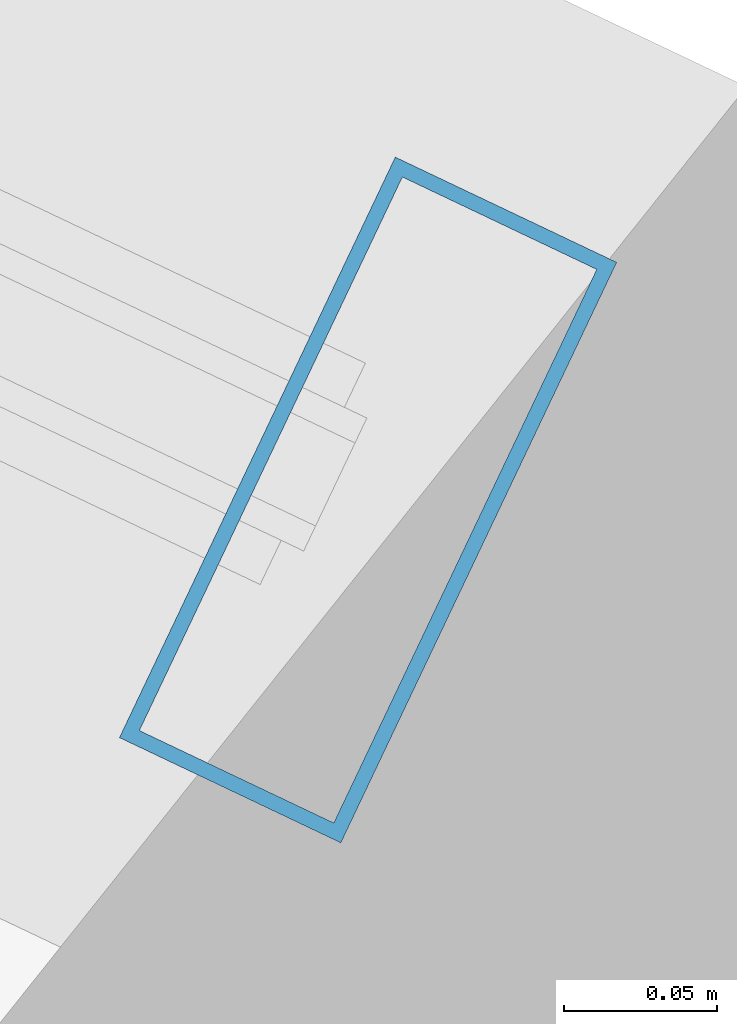
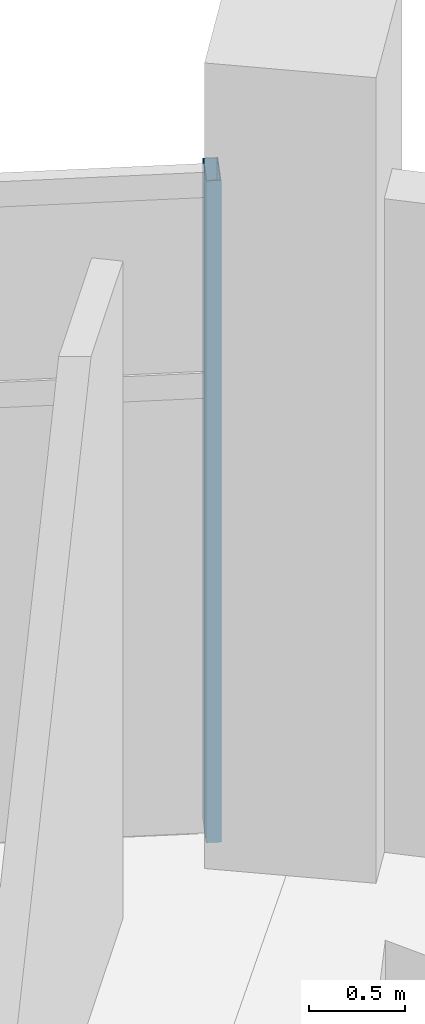
# One storey, part 132 of 184: 1 member, 1 element without a shape of its own.
"""IFC4 building model written with IfcOpenShell, lengths in metres."""

import ifcopenshell
import ifcopenshell.guid

model = None  # the IFC model being written
_history = None  # IfcOwnerHistory: only IFC2X3 demands one
_inside = {}  # id of a spatial element -> (the spatial element, [elements in it])
_under = {}  # id of a project, library or spatial element -> (it, [spatial elements below it])
_declared = {}  # id of a project -> (the project, [libraries it declares])
_typed = {}  # id of a type object -> (the type object, [elements of that type])
_made_of = {}  # id of a material, layer set ... -> (it, [elements and type objects made of it])


def new_model(schema):
    """Start an empty IFC model of exactly this schema.

    Asked for "IFC4X3", IfcOpenShell would pick the latest addendum, in which some entities
    have other attributes; the version numbers below select the first issue.
    IFC2X3 requires an IfcOwnerHistory on every rooted entity: one is made here for all.
    """
    global model, _history
    if schema == "IFC4X3":
        model = ifcopenshell.file(schema_version=(4, 3, 0, 0))
    else:
        model = ifcopenshell.file(schema=schema)
    _inside.clear()
    _under.clear()
    _declared.clear()
    _typed.clear()
    _made_of.clear()
    _history = None
    if model.schema == "IFC2X3":
        org = make("IfcOrganization", Name="unknown")
        user = make(
            "IfcPersonAndOrganization",
            ThePerson=make("IfcPerson", FamilyName="unknown"),
            TheOrganization=org,
        )
        app = make(
            "IfcApplication",
            ApplicationDeveloper=org,
            Version="unknown",
            ApplicationFullName="unknown",
            ApplicationIdentifier="unknown",
        )
        _history = make(
            "IfcOwnerHistory",
            OwningUser=user,
            OwningApplication=app,
            ChangeAction="ADDED",
            CreationDate=0,
        )
    return model


def make(cls, **values):
    """One entity of the class cls with the attributes given. An attribute that is None is left unset."""
    return model.create_entity(
        cls, **{name: value for name, value in values.items() if value is not None}
    )


def rooted(cls, **values):
    """An entity with a GlobalId (a new one), such as an element, a storey or a relation."""
    return make(cls, GlobalId=ifcopenshell.guid.new(), OwnerHistory=_history, **values)


def si_unit(unit_type, name, prefix=None):
    """IfcSIUnit, for example si_unit("LENGTHUNIT", "METRE", prefix="MILLI")."""
    return make("IfcSIUnit", UnitType=unit_type, Prefix=prefix, Name=name)


def assignment(units):
    """IfcUnitAssignment: the units of a project."""
    return None if units is None else make("IfcUnitAssignment", Units=units)


def point(xyz):
    """IfcCartesianPoint."""
    return None if xyz is None else make("IfcCartesianPoint", Coordinates=xyz)


def direction(xyz):
    """IfcDirection."""
    return None if xyz is None else make("IfcDirection", DirectionRatios=xyz)


def frame(location, z_axis=None, x_axis=None):
    """IfcAxis2Placement3D, a coordinate frame: its origin and axes. An axis left out is left unset."""
    return make(
        "IfcAxis2Placement3D",
        Location=point(location),
        Axis=direction(z_axis),
        RefDirection=direction(x_axis),
    )


def frame_2d(location, x_axis=None):
    """IfcAxis2Placement2D, a coordinate frame in the plane: its origin and x axis."""
    return make(
        "IfcAxis2Placement2D", Location=point(location), RefDirection=direction(x_axis)
    )


def origin():
    """The frame at (0, 0, 0) with its axes left unset."""
    return frame((0.0, 0.0, 0.0))


def origin_2d():
    """The frame at (0, 0) in the plane with its x axis left unset."""
    return frame_2d((0.0, 0.0))


def place(relative_to, where):
    """IfcLocalPlacement: puts the frame where relative to a parent placement (None: the world)."""
    return make(
        "IfcLocalPlacement", PlacementRelTo=relative_to, RelativePlacement=where
    )


def context(
    kind, dimensions, precision=None, world=None, true_north=None, identifier=None
):
    """IfcGeometricRepresentationContext, for example the 3D "Model" context."""
    return make(
        "IfcGeometricRepresentationContext",
        ContextIdentifier=identifier,
        ContextType=kind,
        CoordinateSpaceDimension=dimensions,
        Precision=precision,
        WorldCoordinateSystem=world,
        TrueNorth=true_north,
    )


def subcontext(parent, identifier, kind, view, scale=None):
    """IfcGeometricRepresentationSubContext, for example "Body" below "Model"."""
    return make(
        "IfcGeometricRepresentationSubContext",
        ContextIdentifier=identifier,
        ContextType=kind,
        ParentContext=parent,
        TargetScale=scale,
        TargetView=view,
    )


def project(units=None, contexts=None):
    """IfcProject with its units and contexts."""
    return rooted(
        "IfcProject",
        Name="project",
        RepresentationContexts=contexts,
        UnitsInContext=assignment(units),
    )


def spatial(cls, under=None, at=None, **own):
    """A site, building, storey or space (cls), placed at a placement, below another one or the project."""
    s = rooted(cls, ObjectPlacement=at, **own)
    if under is not None:
        _under.setdefault(under.id(), (under, []))[1].append(s)
    return s


def profile(cls, at=None, kind="AREA", **sizes):
    """A parametric profile (cls). Its sizes go by their IFC names, for example OverallWidth=200.0."""
    return make(cls, ProfileType=kind, Position=at, **sizes)


def hollow_rectangle(**sizes):
    """IfcRectangleHollowProfileDef."""
    return profile("IfcRectangleHollowProfileDef", **sizes)


def extrude(swept, where, along, depth):
    """IfcExtrudedAreaSolid: the profile swept, set in the frame where, extruded along a direction by depth."""
    return make(
        "IfcExtrudedAreaSolid",
        SweptArea=swept,
        Position=where,
        ExtrudedDirection=direction(along),
        Depth=depth,
    )


def shape(context_of_items, identifier, shape_type, items):
    """IfcShapeRepresentation: the items that make up one representation, for example the "Body"."""
    return make(
        "IfcShapeRepresentation",
        ContextOfItems=context_of_items,
        RepresentationIdentifier=identifier,
        RepresentationType=shape_type,
        Items=items,
    )


def material(Name=None, Category=None):
    """IfcMaterial."""
    return make("IfcMaterial", Name=Name, Category=Category)


def layer(
    of_material, thickness, ventilated=None, Name=None, Category=None, Priority=None
):
    """IfcMaterialLayer: one layer of a wall or slab, of a material (None: an air gap)."""
    return make(
        "IfcMaterialLayer",
        Material=of_material,
        LayerThickness=thickness,
        IsVentilated=ventilated,
        Name=Name,
        Category=Category,
        Priority=Priority,
    )


def layer_set(layers, Name=None):
    """IfcMaterialLayerSet."""
    return make("IfcMaterialLayerSet", MaterialLayers=layers, LayerSetName=Name)


def material_profile(
    of_material, cross_section, Name=None, Category=None, Priority=None
):
    """IfcMaterialProfile: a cross section and its material."""
    return make(
        "IfcMaterialProfile",
        Name=Name,
        Material=of_material,
        Profile=cross_section,
        Priority=Priority,
        Category=Category,
    )


def profile_set(profiles, Name=None, composite=None):
    """IfcMaterialProfileSet."""
    return make(
        "IfcMaterialProfileSet",
        Name=Name,
        MaterialProfiles=profiles,
        CompositeProfile=composite,
    )


def made_of(thing, what):
    """Note that an element or type object is made of a material, layer set ...; save() writes the relation."""
    if what is not None:
        _made_of.setdefault(what.id(), (what, []))[1].append(thing)
    return thing


def type_object(cls, material=None, **own):
    """A type object (cls), such as IfcWallType, which elements share."""
    return made_of(rooted(cls, **own), material)


def element(
    cls,
    number,
    at=None,
    inside=None,
    cuts=None,
    type_object=None,
    material=None,
    context=None,
    identifier="Body",
    shape_type=None,
    held_by="IfcProductDefinitionShape",
    body=None,
    shapes=None,
    **own,
):
    """One element of the class cls, such as IfcWall. Its Tag is "e" and its number.

    at: its placement. inside: the storey or other place that contains it. cuts: it is an
    opening in that element (IfcRelVoidsElement). A single representation is given by context,
    identifier, shape_type and body (its items); several are given by shapes. held_by: the class
    of the entity that holds the representations. save() writes the other relations.
    """
    e = rooted(cls, Tag="e%d" % number, ObjectPlacement=at, **own)
    if body is not None:
        shapes = [shape(context, identifier, shape_type, body)]
    if shapes is not None:
        e.Representation = make(held_by, Representations=shapes)
    if inside is not None:
        _inside.setdefault(inside.id(), (inside, []))[1].append(e)
    if cuts is not None:
        rooted(
            "IfcRelVoidsElement", RelatingBuildingElement=cuts, RelatedOpeningElement=e
        )
    if type_object is not None:
        _typed.setdefault(type_object.id(), (type_object, []))[1].append(e)
    return made_of(e, material)


def aggregate(whole, parts):
    """IfcRelAggregates: a whole, such as a stair, and the parts it consists of."""
    return rooted("IfcRelAggregates", RelatingObject=whole, RelatedObjects=parts)


def save(model, path):
    """Write the relations noted so far, then the file.

    IfcRelAggregates (storeys below a building ...), IfcRelContainedInSpatialStructure (elements
    in a storey), IfcRelDefinesByType, IfcRelAssociatesMaterial and IfcRelDeclares: one each for
    every whole, place, type object, material and project.
    """
    for whole, parts in _under.values():
        aggregate(whole, parts)
    for where, things in _inside.values():
        rooted(
            "IfcRelContainedInSpatialStructure",
            RelatedElements=things,
            RelatingStructure=where,
        )
    for kind, things in _typed.values():
        rooted("IfcRelDefinesByType", RelatedObjects=things, RelatingType=kind)
    for what, things in _made_of.values():
        rooted("IfcRelAssociatesMaterial", RelatedObjects=things, RelatingMaterial=what)
    for by, libraries in _declared.values():
        rooted("IfcRelDeclares", RelatingContext=by, RelatedDefinitions=libraries)
    model.write(path)


model = new_model("IFC4")

# Units and contexts
model_context = context("Model", 3, precision=1e-05, world=origin(), true_north=direction((0.0, 1.0)))
body_context = subcontext(model_context, "Body", "Model", "MODEL_VIEW")
ifc_project = project(units=[si_unit("LENGTHUNIT", "METRE"), si_unit("AREAUNIT", "SQUARE_METRE"), si_unit("VOLUMEUNIT", "CUBIC_METRE"), si_unit("PLANEANGLEUNIT", "RADIAN"), si_unit("MASSUNIT", "GRAM", prefix="KILO")], contexts=[model_context])

# Site, building, storey
site_placement = place(None, origin())
site = spatial("IfcSite", under=ifc_project, at=site_placement, CompositionType="ELEMENT")
building_placement = place(site_placement, origin())
building = spatial("IfcBuilding", under=site, at=building_placement, Name="Kazemori Nagisa Stadium", CompositionType="ELEMENT")
storey_placement = place(building_placement, frame((0.0, 0.0, 10.5400390625)))
storey = spatial("IfcBuildingStorey", under=building, at=storey_placement, Name="L02", CompositionType="ELEMENT", Elevation=10.5400390625)

# Curtain wall, member
ifc_material_1 = material(Name="Anodised aluminium 6063-T5", Category="aluminium")
ifc_layer = layer(ifc_material_1, 0.2099609375, Name="Anodised aluminium 6063-T5", Category="aluminium")
ifc_layer_set = layer_set([ifc_layer], Name="Anodised aluminium 6063-T5")
curtain_wall_type = type_object("IfcCurtainWallType", Name="CW_L02R3_105", PredefinedType="USERDEFINED", material=ifc_layer_set)
curtain_wall_placement = place(storey_placement, origin())
curtain_wall = element("IfcCurtainWall", 1, at=curtain_wall_placement, inside=storey, type_object=curtain_wall_type, Name="Unitised curtain wall CW-L02R3-105 L02", ObjectType="UNITISED CURTAIN WALL", PredefinedType="USERDEFINED")
ifc_material_2 = material(Name="Aluminium 6063-T5 anodised", Category="aluminium")
ifc_material_profile = material_profile(ifc_material_2, hollow_rectangle(XDim=0.080078125, YDim=0.2099609375, WallThickness=0.0048828125, at=origin_2d()), Name="ALU-MULL-80x210x5")
ifc_profile_set = profile_set([ifc_material_profile], Name="Aluminium 6063-T5 anodised")
member_type = type_object("IfcMemberType", Name="Mullion_M02", PredefinedType="MULLION", material=ifc_profile_set)
member_placement = place(storey_placement, frame((185.1689453125, 173.262939453125, 0.0), z_axis=(0.0, 0.0, 1.0), x_axis=(-0.903215892654, 0.429186499388, 0.0)))
member = element("IfcMember", 2, at=member_placement, type_object=member_type, Name="Curtain wall mullion CW-L02R3-105-M1", PredefinedType="MULLION", context=body_context, shape_type="SweptSolid", body=[
    extrude(hollow_rectangle(XDim=0.080078125, YDim=0.2099609375, WallThickness=0.0048828125, at=origin_2d()), origin(), (0.0, 0.0, 1.0), 4.18994140625),
])
aggregate(curtain_wall, [member])

save(model, "model.ifc")
